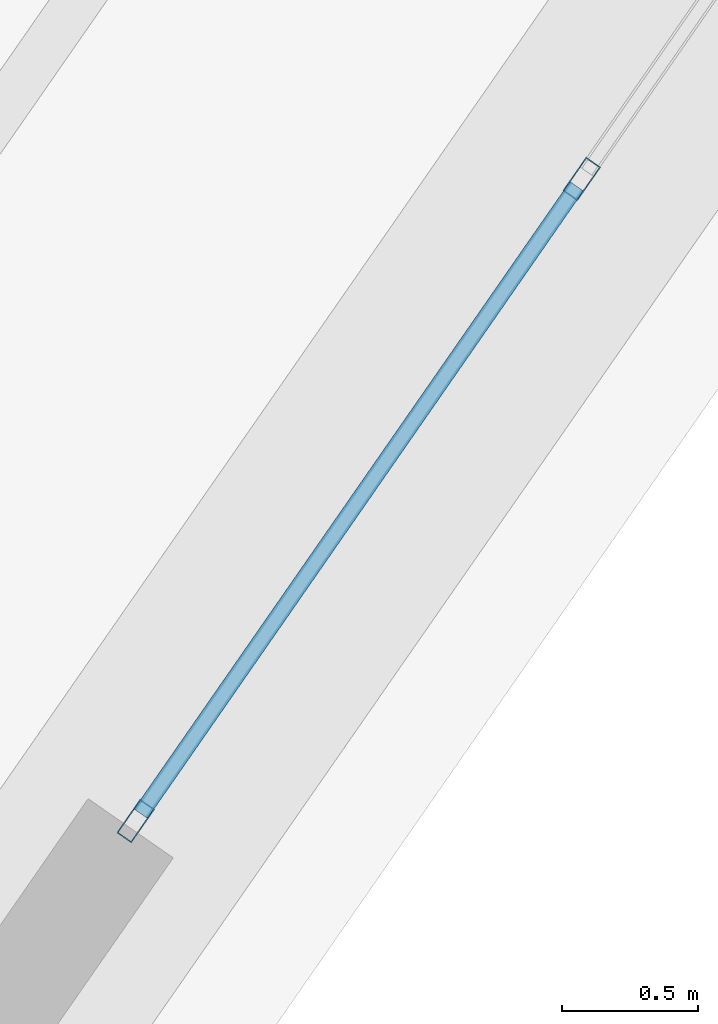
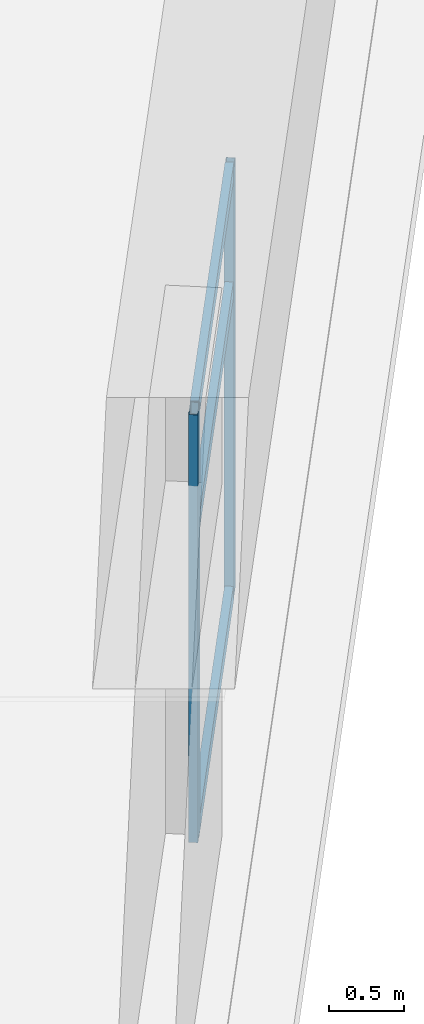
# One storey, part 10 of 40: 5 members, 1 element without a shape of its own.
"""IFC4 building model written with IfcOpenShell, lengths in metres."""

from ifc_helpers import new_model, si_unit, direction, frame, origin, origin_2d, place, context, subcontext, project, spatial, hollow_rectangle, extrude, source, transform, mapped, material, layer, layer_set, material_profile, profile_set, type_object, element, aggregate, save


model = new_model("IFC4")

# Units and contexts
model_context = context("Model", 3, precision=1e-05, world=origin(), true_north=direction((0.0, 1.0)))
body_context = subcontext(model_context, "Body", "Model", "MODEL_VIEW")
ifc_project = project(units=[si_unit("LENGTHUNIT", "METRE"), si_unit("AREAUNIT", "SQUARE_METRE"), si_unit("VOLUMEUNIT", "CUBIC_METRE"), si_unit("PLANEANGLEUNIT", "RADIAN"), si_unit("MASSUNIT", "GRAM", prefix="KILO")], contexts=[model_context])

# Site, building, storey
site_placement = place(None, origin())
site = spatial("IfcSite", under=ifc_project, at=site_placement, CompositionType="ELEMENT")
building_placement = place(site_placement, origin())
building = spatial("IfcBuilding", under=site, at=building_placement, Name="Liaohun Quay Tower", CompositionType="ELEMENT")
storey_placement = place(building_placement, frame((0.0, 0.0, 351.0)))
storey = spatial("IfcBuildingStorey", under=building, at=storey_placement, Name="L91", CompositionType="ELEMENT", Elevation=351.0)

# Curtain wall, members
ifc_material_1 = material(Name="Observation gallery panoramic triple-glazed curtain wall")
ifc_layer = layer(ifc_material_1, 0.219970703125, Name="Observation gallery panoramic triple-glazed curtain wall")
ifc_layer_set = layer_set([ifc_layer], Name="Observation gallery panoramic triple-glazed curtain wall")
curtain_wall_type = type_object("IfcCurtainWallType", Name="CW-OBS-CRN", PredefinedType="NOTDEFINED", material=ifc_layer_set)
curtain_wall_placement = place(storey_placement, origin())
curtain_wall = element("IfcCurtainWall", 1, at=curtain_wall_placement, inside=storey, type_object=curtain_wall_type, Name="L91 Panoramic Belvedere Curtain Wall 01", PredefinedType="NOTDEFINED")
ifc_material_2 = material(Name="Anodised aluminium 6063-T6", Category="aluminium")
ifc_material_profile_1 = material_profile(ifc_material_2, hollow_rectangle(XDim=0.06494140625, YDim=0.14990234375, WallThickness=0.00390625, at=origin_2d()), Name="RHS150x65x4")
ifc_profile_set_1 = profile_set([ifc_material_profile_1], Name="Anodised aluminium 6063-T6")
member_type_1 = type_object("IfcMemberType", Name="MEM-CWM-SKY", PredefinedType="MULLION", material=ifc_profile_set_1)
shared_shape_1 = source(origin(), body_context, "Body", "SweptSolid", [
    extrude(hollow_rectangle(XDim=0.06494140625, YDim=0.14990234375, WallThickness=0.00390625, at=origin_2d()), origin(), (0.0, 0.0, 1.0), 3.5),
])
member_1_placement = place(storey_placement, frame((67.58447265625, 27.892578125, 0.0), z_axis=(0.0, 0.0, 1.0), x_axis=(-0.821259996973, 0.570554131851, 0.0)))
member_1 = element("IfcMember", 2, at=member_1_placement, type_object=member_type_1, Name="CW6 mullion 1", PredefinedType="MULLION", context=body_context, shape_type="MappedRepresentation", body=[
    mapped(shared_shape_1, transform((0.0, 0.0, 0.0), x_axis=(1.0, 0.0, 0.0), y_axis=(0.0, 1.0, 0.0), z_axis=(0.0, 0.0, 1.0), scale=1.0)),
])
member_2_placement = place(storey_placement, frame((69.220458984375, 30.24755859375, 0.0), z_axis=(0.0, 0.0, 1.0), x_axis=(-0.821259996973, 0.570554131851, 0.0)))
member_2 = element("IfcMember", 3, at=member_2_placement, type_object=member_type_1, Name="CW6 mullion 2", PredefinedType="MULLION", context=body_context, shape_type="MappedRepresentation", body=[
    mapped(shared_shape_1, transform((0.0, 0.0, 0.0), x_axis=(1.0, 0.0, 0.0), y_axis=(0.0, 1.0, 0.0), z_axis=(0.0, 0.0, 1.0), scale=1.0)),
])
ifc_material_profile_2 = material_profile(ifc_material_2, hollow_rectangle(XDim=0.06005859375, YDim=0.135009765625, WallThickness=0.00390625, at=origin_2d()), Name="RHS135x60x4")
ifc_profile_set_2 = profile_set([ifc_material_profile_2], Name="Anodised aluminium 6063-T6")
member_type_2 = type_object("IfcMemberType", Name="MEM-CWT-SKY", PredefinedType="USERDEFINED", material=ifc_profile_set_2)
shared_shape_2 = source(origin(), body_context, "Body", "SweptSolid", [
    extrude(hollow_rectangle(XDim=0.06005859375, YDim=0.135009765625, WallThickness=0.00390625, at=origin_2d()), origin(), (0.0, 0.0, 1.0), 2.80224609375),
])
member_3_placement = place(storey_placement, frame((67.60302734375, 27.91943359375, 0.030029296875), z_axis=(0.570581927692, 0.821240685665, 0.0), x_axis=(-0.821240685665, 0.570581927692, 0.0)))
member_3 = element("IfcMember", 4, at=member_3_placement, type_object=member_type_2, Name="CW6 transom 1.1", ObjectType="TRANSOM", PredefinedType="USERDEFINED", context=body_context, shape_type="MappedRepresentation", body=[
    mapped(shared_shape_2, transform((0.0, 0.0, 0.0), x_axis=(1.0, 0.0, 0.0), y_axis=(0.0, 1.0, 0.0), z_axis=(0.0, 0.0, 1.0), scale=1.0)),
])
member_4_placement = place(storey_placement, frame((67.60302734375, 27.91943359375, 2.52001953125), z_axis=(0.570581927692, 0.821240685665, 0.0), x_axis=(-0.821240685665, 0.570581927692, 0.0)))
member_4 = element("IfcMember", 5, at=member_4_placement, type_object=member_type_2, Name="CW6 transom 1.2", ObjectType="TRANSOM", PredefinedType="USERDEFINED", context=body_context, shape_type="MappedRepresentation", body=[
    mapped(shared_shape_2, transform((0.0, 0.0, 0.0), x_axis=(1.0, 0.0, 0.0), y_axis=(0.0, 1.0, 0.0), z_axis=(0.0, 0.0, 1.0), scale=1.0)),
])
member_5_placement = place(storey_placement, frame((67.60302734375, 27.91943359375, 3.469970703125), z_axis=(0.570581927692, 0.821240685665, 0.0), x_axis=(-0.821240685665, 0.570581927692, 0.0)))
member_5 = element("IfcMember", 6, at=member_5_placement, type_object=member_type_2, Name="CW6 transom 1.3", ObjectType="TRANSOM", PredefinedType="USERDEFINED", context=body_context, shape_type="MappedRepresentation", body=[
    mapped(shared_shape_2, transform((0.0, 0.0, 0.0), x_axis=(1.0, 0.0, 0.0), y_axis=(0.0, 1.0, 0.0), z_axis=(0.0, 0.0, 1.0), scale=1.0)),
])
aggregate(curtain_wall, [member_1, member_2, member_3, member_4, member_5])

save(model, "model.ifc")
